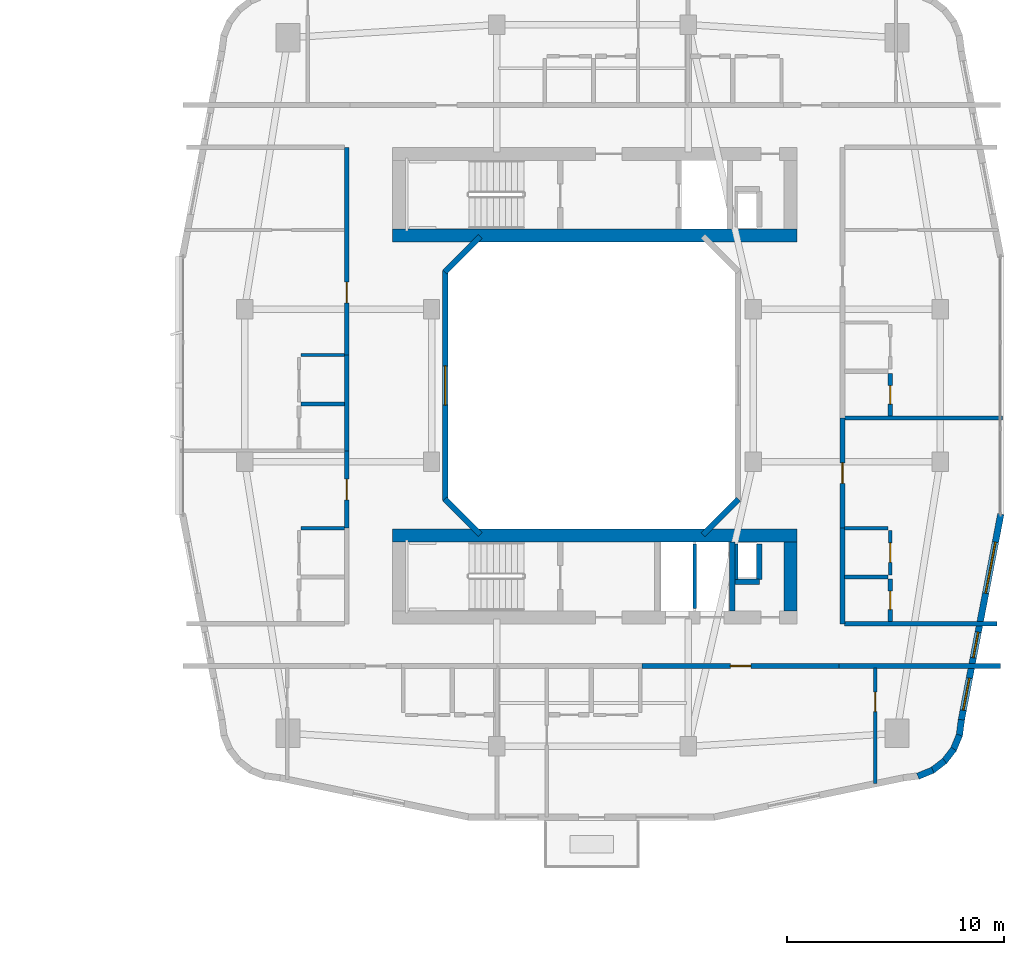
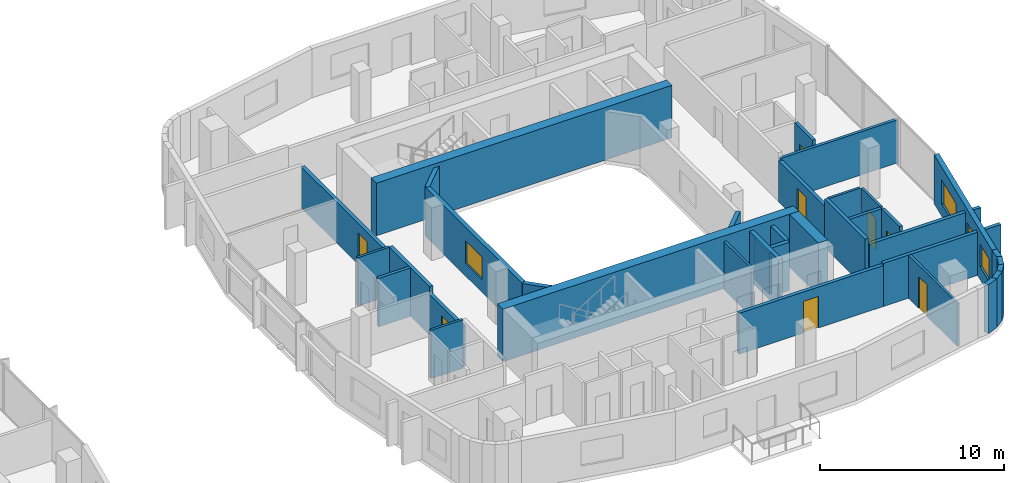
# One storey, part 14 of 22: 36 walls, 8 doors, 4 windows, 12 openings.
"""IFC4 building model written with IfcOpenShell, lengths in metres."""

from ifc_helpers import new_model, si_unit, derived_unit, direction, frame, frame_2d, origin, place, context, subcontext, project, spatial, rectangle, extrude, material, layer, layer_set, type_object, element, fill, save


model = new_model("IFC4")

# Units and contexts
model_context = context("Model", 3, precision=1e-05, world=origin(), true_north=direction((0.0, 1.0)))
body_context = subcontext(model_context, "Body", "Model", "MODEL_VIEW")
ifc_project = project(units=[si_unit("LENGTHUNIT", "METRE"), si_unit("AREAUNIT", "SQUARE_METRE"), si_unit("VOLUMEUNIT", "CUBIC_METRE"), si_unit("PLANEANGLEUNIT", "RADIAN"), si_unit("MASSUNIT", "GRAM", prefix="KILO"), derived_unit("THERMALTRANSMITTANCEUNIT", [(si_unit("POWERUNIT", "WATT"), 1), (si_unit("LENGTHUNIT", "METRE"), -2), (si_unit("THERMODYNAMICTEMPERATUREUNIT", "KELVIN"), -1)])], contexts=[model_context])

# Site, building, storey
site_placement = place(None, origin())
site = spatial("IfcSite", under=ifc_project, at=site_placement, CompositionType="ELEMENT")
building_placement = place(site_placement, origin())
building = spatial("IfcBuilding", under=site, at=building_placement, Name="Kivonza Crest Hotel", CompositionType="ELEMENT")
storey_placement = place(building_placement, frame((0.0, 0.0, 27.5)))
storey = spatial("IfcBuildingStorey", under=building, at=storey_placement, Name="L06", CompositionType="ELEMENT", Elevation=27.5)

# Walls
ifc_material_1 = material(Name="High-density acoustic masonry inter-tenancy wall", Category="masonry")
ifc_layer_1 = layer(ifc_material_1, 0.179931640625)
ifc_layer_set_1 = layer_set([ifc_layer_1], Name="High-density acoustic masonry inter-tenancy wall")
wall_type_1 = type_object("IfcWallType", Name="WL-ACOU-180", PredefinedType="SOLIDWALL", material=ifc_layer_set_1)
wall_1_placement = place(storey_placement, frame((88.5, 23.5, 0.0), z_axis=(0.0, 0.0, 1.0), x_axis=(1.0, 0.0, 0.0)))
element("IfcWall", 1, at=wall_1_placement, inside=storey, type_object=wall_type_1, Name="L06 interior partition WA-L06-T2E-DIV1", PredefinedType="SOLIDWALL", context=body_context, shape_type="SweptSolid", body=[
    extrude(rectangle(XDim=7.360107421875, YDim=0.179931640625, at=frame_2d((3.68017578125, 0.0))), origin(), (0.0, 0.0, 1.0), 2.864990234375),
])
ifc_material_2 = material(Name="Autoclaved aerated concrete blockwork", Category="masonry")
ifc_layer_2 = layer(ifc_material_2, 0.219970703125)
ifc_layer_set_2 = layer_set([ifc_layer_2], Name="Autoclaved aerated concrete blockwork")
wall_type_2 = type_object("IfcWallType", Name="WL-ACOU-220", PredefinedType="SOLIDWALL", material=ifc_layer_set_2)
wall_2_placement = place(storey_placement, frame((88.35009765625, 12.10009765625, 0.0), z_axis=(0.0, 0.0, 1.0), x_axis=(1.0, 0.0, 0.0)))
element("IfcWall", 2, at=wall_2_placement, inside=storey, type_object=wall_type_2, Name="L06 interior partition WA-L06-A04-RCORR", PredefinedType="SOLIDWALL", context=body_context, shape_type="SweptSolid", body=[
    extrude(rectangle(XDim=7.409912109375, YDim=0.219970703125, at=frame_2d((3.705078125, 0.0))), origin(), (0.0, 0.0, 1.0), 2.864990234375),
])

# Wall, opening, door
wall_3_placement = place(storey_placement, frame((79.280029296875, 12.10009765625, 0.0), z_axis=(0.0, 0.0, 1.0), x_axis=(1.0, 0.0, 0.0)))
wall_3 = element("IfcWall", 3, at=wall_3_placement, inside=storey, type_object=wall_type_2, Name="L06 interior partition WA-L06-A04-MCORR", PredefinedType="SOLIDWALL", context=body_context, shape_type="SweptSolid", body=[
    extrude(rectangle(XDim=9.070068359375, YDim=0.219970703125, at=frame_2d((4.53515625, 0.0))), origin(), (0.0, 0.0, 1.0), 2.72509765625),
])
opening_1_placement = place(wall_3_placement, frame((4.06005859375, 0.0, 0.0)))
opening_1 = element("IfcOpeningElement", 4, at=opening_1_placement, cuts=wall_3, Name="Opening DU-60", PredefinedType="OPENING", context=body_context, shape_type="SweptSolid", body=[
    extrude(rectangle(XDim=0.949951171875, YDim=2.10009765625, at=frame_2d((0.47509765625, 1.050048828125))), frame((0.0, 0.1201171875, 0.0), z_axis=(0.0, -1.0, 0.0), x_axis=(1.0, 0.0, 0.0)), (0.0, 0.0, 1.0), 0.239990234375),
])
ifc_material_3 = material(Name="Hardwood timber oak", Category="wood")
door_type_1 = type_object("IfcDoorType", Name="DR-UNIT-950", OperationType="NOTDEFINED", PredefinedType="DOOR", material=ifc_material_3)
door_1_placement = place(opening_1_placement, frame((0.949951171875, 0.0, 0.0), z_axis=(0.0, 0.0, 1.0), x_axis=(-1.0, 0.0, 0.0)))
door_1 = element("IfcDoor", 5, at=door_1_placement, inside=storey, type_object=door_type_1, Name="L06 A04 apartment entrance fire door", OperationType="SINGLE_SWING_RIGHT", OverallHeight=2.10009765625, OverallWidth=0.949951171875, PredefinedType="DOOR", context=body_context, shape_type="SweptSolid", body=[
    extrude(rectangle(XDim=0.949951171875, YDim=2.10009765625, at=frame_2d((0.47509765625, 1.050048828125))), frame((0.0, 0.02490234375, 0.0), z_axis=(0.0, -1.0, 0.0), x_axis=(1.0, 0.0, 0.0)), (0.0, 0.0, 1.0), 0.050048828125),
])
fill(opening_1, door_1)

wall_4_placement = place(storey_placement, frame((65.699951171875, 18.43994140625, 0.0), z_axis=(0.0, 0.0, 1.0), x_axis=(0.0, 1.0, 0.0)))
wall_4 = element("IfcWall", 6, at=wall_4_placement, inside=storey, type_object=wall_type_2, Name="L06 interior partition WA-L06-A05-MCORR", PredefinedType="SOLIDWALL", context=body_context, shape_type="SweptSolid", body=[
    extrude(rectangle(XDim=3.56005859375, YDim=0.219970703125, at=frame_2d((1.780029296875, 0.0))), origin(), (0.0, 0.0, 1.0), 2.72509765625),
])
opening_2_placement = place(wall_4_placement, frame((1.304931640625, 0.0, 0.0)))
opening_2 = element("IfcOpeningElement", 7, at=opening_2_placement, cuts=wall_4, Name="Opening DU-60", PredefinedType="OPENING", context=body_context, shape_type="SweptSolid", body=[
    extrude(rectangle(XDim=0.949951171875, YDim=2.10009765625, at=frame_2d((0.47509765625, 1.050048828125))), frame((0.0, 0.1201171875, 0.0), z_axis=(0.0, -1.0, 0.0), x_axis=(1.0, 0.0, 0.0)), (0.0, 0.0, 1.0), 0.239990234375),
])
door_2_placement = place(opening_2_placement, origin())
door_2 = element("IfcDoor", 8, at=door_2_placement, inside=storey, type_object=door_type_1, Name="L06 A05 apartment entrance fire door", OperationType="SINGLE_SWING_LEFT", OverallHeight=2.10009765625, OverallWidth=0.949951171875, PredefinedType="DOOR", context=body_context, shape_type="SweptSolid", body=[
    extrude(rectangle(XDim=0.949951171875, YDim=2.10009765625, at=frame_2d((0.47509765625, 1.050048828125))), frame((0.0, 0.02490234375, 0.0), z_axis=(0.0, -1.0, 0.0), x_axis=(1.0, 0.0, 0.0)), (0.0, 0.0, 1.0), 0.050048828125),
])
fill(opening_2, door_2)

# Wall
wall_5_placement = place(storey_placement, frame((65.699951171875, 22.0, 0.0), z_axis=(0.0, 0.0, 1.0), x_axis=(0.0, 1.0, 0.0)))
element("IfcWall", 9, at=wall_5_placement, inside=storey, type_object=wall_type_2, Name="L06 interior partition WA-L06-A06-BCORR", PredefinedType="SOLIDWALL", context=body_context, shape_type="SweptSolid", body=[
    extrude(rectangle(XDim=4.39990234375, YDim=0.219970703125, at=frame_2d((2.199951171875, 0.0))), origin(), (0.0, 0.0, 1.0), 3.219970703125),
])

# Wall, opening, door
wall_6_placement = place(storey_placement, frame((65.699951171875, 26.39990234375, 0.0), z_axis=(0.0, 0.0, 1.0), x_axis=(0.0, 1.0, 0.0)))
wall_6 = element("IfcWall", 10, at=wall_6_placement, inside=storey, type_object=wall_type_2, Name="L06 interior partition WA-L06-A06-MCORR", PredefinedType="SOLIDWALL", context=body_context, shape_type="SweptSolid", body=[
    extrude(rectangle(XDim=9.56005859375, YDim=0.219970703125, at=frame_2d((4.780029296875, 0.0))), origin(), (0.0, 0.0, 1.0), 2.72509765625),
])
opening_3_placement = place(wall_6_placement, frame((2.405029296875, 0.0, 0.0)))
opening_3 = element("IfcOpeningElement", 11, at=opening_3_placement, cuts=wall_6, Name="Opening DU-60", PredefinedType="OPENING", context=body_context, shape_type="SweptSolid", body=[
    extrude(rectangle(XDim=0.949951171875, YDim=2.10009765625, at=frame_2d((0.47509765625, 1.050048828125))), frame((0.0, 0.1201171875, 0.0), z_axis=(0.0, -1.0, 0.0), x_axis=(1.0, 0.0, 0.0)), (0.0, 0.0, 1.0), 0.239990234375),
])
door_3_placement = place(opening_3_placement, origin())
door_3 = element("IfcDoor", 12, at=door_3_placement, inside=storey, type_object=door_type_1, Name="L06 A06 apartment entrance fire door", OperationType="SINGLE_SWING_RIGHT", OverallHeight=2.10009765625, OverallWidth=0.949951171875, PredefinedType="DOOR", context=body_context, shape_type="SweptSolid", body=[
    extrude(rectangle(XDim=0.949951171875, YDim=2.10009765625, at=frame_2d((0.47509765625, 1.050048828125))), frame((0.0, 0.02490234375, 0.0), z_axis=(0.0, -1.0, 0.0), x_axis=(1.0, 0.0, 0.0)), (0.0, 0.0, 1.0), 0.050048828125),
])
fill(opening_3, door_3)

# Walls
wall_7_placement = place(storey_placement, frame((88.60009765625, 14.0400390625, 0.0), z_axis=(0.0, 0.0, 1.0), x_axis=(1.0, 0.0, 0.0)))
element("IfcWall", 13, at=wall_7_placement, inside=storey, type_object=wall_type_2, Name="L06 interior partition WA-L06-T2E-ENDS", PredefinedType="SOLIDWALL", context=body_context, shape_type="SweptSolid", body=[
    extrude(rectangle(XDim=7.0, YDim=0.219970703125, at=frame_2d((3.5, 0.0))), origin(), (0.0, 0.0, 1.0), 2.864990234375),
])
wall_8_placement = place(storey_placement, frame((88.5, 14.0400390625, 0.0), z_axis=(0.0, 0.0, 1.0), x_axis=(0.0, 1.0, 0.0)))
element("IfcWall", 14, at=wall_8_placement, inside=storey, type_object=wall_type_2, Name="L06 interior partition WA-L06-A07-BCORR", PredefinedType="SOLIDWALL", context=body_context, shape_type="SweptSolid", body=[
    extrude(rectangle(XDim=4.39990234375, YDim=0.219970703125, at=frame_2d((2.199951171875, 0.0))), origin(), (0.0, 0.0, 1.0), 3.219970703125),
])

# Wall, opening, door
wall_9_placement = place(storey_placement, frame((88.5, 18.43994140625, 0.0), z_axis=(0.0, 0.0, 1.0), x_axis=(0.0, 1.0, 0.0)))
wall_9 = element("IfcWall", 15, at=wall_9_placement, inside=storey, type_object=wall_type_2, Name="L06 interior partition WA-L06-A07-MCORR", PredefinedType="SOLIDWALL", context=body_context, shape_type="SweptSolid", body=[
    extrude(rectangle(XDim=5.06005859375, YDim=0.219970703125, at=frame_2d((2.530029296875, 0.0))), origin(), (0.0, 0.0, 1.0), 2.72509765625),
])
opening_4_placement = place(wall_9_placement, frame((2.054931640625, 0.0, 0.0)))
opening_4 = element("IfcOpeningElement", 16, at=opening_4_placement, cuts=wall_9, Name="Opening DU-60", PredefinedType="OPENING", context=body_context, shape_type="SweptSolid", body=[
    extrude(rectangle(XDim=0.949951171875, YDim=2.10009765625, at=frame_2d((0.47509765625, 1.050048828125))), frame((0.0, 0.1201171875, 0.0), z_axis=(0.0, -1.0, 0.0), x_axis=(1.0, 0.0, 0.0)), (0.0, 0.0, 1.0), 0.239990234375),
])
door_4_placement = place(opening_4_placement, frame((0.949951171875, 0.0, 0.0), z_axis=(0.0, 0.0, 1.0), x_axis=(-1.0, 0.0, 0.0)))
door_4 = element("IfcDoor", 17, at=door_4_placement, inside=storey, type_object=door_type_1, Name="L06 A07 apartment entrance fire door", OperationType="SINGLE_SWING_LEFT", OverallHeight=2.10009765625, OverallWidth=0.949951171875, PredefinedType="DOOR", context=body_context, shape_type="SweptSolid", body=[
    extrude(rectangle(XDim=0.949951171875, YDim=2.10009765625, at=frame_2d((0.47509765625, 1.050048828125))), frame((0.0, 0.02490234375, 0.0), z_axis=(0.0, -1.0, 0.0), x_axis=(1.0, 0.0, 0.0)), (0.0, 0.0, 1.0), 0.050048828125),
])
fill(opening_4, door_4)

# Walls
ifc_material_4 = material(Name="Concrete C60/75", Category="concrete")
ifc_layer_3 = layer(ifc_material_4, 0.60009765625)
ifc_layer_set_3 = layer_set([ifc_layer_3], Name="Concrete C60/75")
wall_type_3 = type_object("IfcWallType", Name="WL-CORE-600", PredefinedType="SHEAR", material=ifc_layer_set_3)
for number, where, z_axis, x_axis, name in (
    (18, (67.800048828125, 31.89990234375, 0.0), (0.0, 0.0, 1.0), (1.0, 0.0, 0.0), "Core wall T2-N South L06"),
    (19, (67.800048828125, 18.10009765625, 0.0), (0.0, 0.0, 1.0), (1.0, 0.0, 0.0), "Core wall T2-S North L06"),
):
    element("IfcWall", number, at=place(storey_placement, frame(where, z_axis=z_axis, x_axis=x_axis)), inside=storey, type_object=wall_type_3, Name=name, PredefinedType="SHEAR", context=body_context, shape_type="SweptSolid", body=[
        extrude(rectangle(XDim=18.599853515625, YDim=0.60009765625, at=frame_2d((9.2998046875, 0.0))), origin(), (0.0, 0.0, 1.0), 3.5),
    ])
wall_10_placement = place(storey_placement, frame((86.10009765625, 14.639892578125, 0.0), z_axis=(0.0, 0.0, 1.0), x_axis=(0.0, 1.0, 0.0)))
element("IfcWall", 20, at=wall_10_placement, inside=storey, type_object=wall_type_3, Name="Core wall T2-S East L06", PredefinedType="SHEAR", context=body_context, shape_type="SweptSolid", body=[
    extrude(rectangle(XDim=3.16015625, YDim=0.60009765625, at=frame_2d((1.580078125, 0.0))), origin(), (0.0, 0.0, 1.0), 3.5),
])
ifc_material_5 = material(Name="Precast concrete C40/50", Category="concrete")
ifc_layer_4 = layer(ifc_material_5, 0.260009765625)
ifc_layer_set_4 = layer_set([ifc_layer_4], Name="Precast concrete C40/50")
wall_type_4 = type_object("IfcWallType", Name="WL-EXT-260", PredefinedType="STANDARD", material=ifc_layer_set_4)
for number, where, z_axis, x_axis, name in (
    (21, (82.08203125, 18.137939453125, 0.0), (0.0, 0.0, 1.0), (0.707106781187, 0.707106781187, 0.0), "L06 T2 light-well exterior wall 2"),
    (22, (71.837890625, 31.862060546875, 0.0), (0.0, 0.0, 1.0), (-0.707053950914, -0.707159607512, 0.0), "L06 T2 light-well exterior wall 6"),
):
    element("IfcWall", number, at=place(storey_placement, frame(where, z_axis=z_axis, x_axis=x_axis)), inside=storey, type_object=wall_type_4, Name=name, PredefinedType="STANDARD", context=body_context, shape_type="SweptSolid", body=[
        extrude(rectangle(XDim=2.310791015625, YDim=0.260009765625, at=frame_2d((1.1552734375, 0.0))), origin(), (0.0, 0.0, 1.0), 3.25),
    ])

# Wall, opening, window
wall_11_placement = place(storey_placement, frame((70.22998046875, 30.2900390625, 0.0), z_axis=(0.0, 0.0, 1.0), x_axis=(0.0, -1.0, 0.0)))
wall_11 = element("IfcWall", 23, at=wall_11_placement, inside=storey, type_object=wall_type_4, Name="L06 T2 light-well exterior wall 7", PredefinedType="STANDARD", context=body_context, shape_type="SweptSolid", body=[
    extrude(rectangle(XDim=10.580078125, YDim=0.260009765625, at=frame_2d((5.2900390625, 0.0))), origin(), (0.0, 0.0, 1.0), 3.25),
])
opening_5_placement = place(wall_11_placement, frame((4.389892578125, 0.0, 0.85009765625)))
opening_5 = element("IfcOpeningElement", 24, at=opening_5_placement, cuts=wall_11, Name="Opening WN-03", PredefinedType="OPENING", context=body_context, shape_type="SweptSolid", body=[
    extrude(rectangle(XDim=1.800048828125, YDim=1.5, at=frame_2d((0.89990234375, 0.75))), frame((0.0, 0.14013671875, 0.0), z_axis=(0.0, -1.0, 0.0), x_axis=(1.0, 0.0, 0.0)), (0.0, 0.0, 1.0), 0.280029296875),
])
ifc_material_6 = material(Name="Thermally broken bronze aluminium and low-E double glazing", Category="aluminium")
window_type_1 = type_object("IfcWindowType", Name="WN-180x150", PartitioningType="DOUBLE_PANEL_VERTICAL", PredefinedType="WINDOW", material=ifc_material_6)
window_1_placement = place(opening_5_placement, origin())
window_1 = element("IfcWindow", 25, at=window_1_placement, inside=storey, type_object=window_type_1, Name="L06 T2 light-well window 7", OverallHeight=1.5, OverallWidth=1.800048828125, PartitioningType="SINGLE_PANEL", PredefinedType="WINDOW", context=body_context, shape_type="SweptSolid", body=[
    extrude(rectangle(XDim=1.800048828125, YDim=1.5, at=frame_2d((0.89990234375, 0.75))), frame((0.0, 0.030029296875, 0.0), z_axis=(0.0, -1.0, 0.0), x_axis=(1.0, 0.0, 0.0)), (0.0, 0.0, 1.0), 0.06005859375),
])
fill(opening_5, window_1)

# Walls
wall_12_placement = place(storey_placement, frame((70.2041015625, 19.77197265625, 0.0), z_axis=(0.0, 0.0, 1.0), x_axis=(0.707053950914, -0.707159607512, 0.0)))
element("IfcWall", 26, at=wall_12_placement, inside=storey, type_object=wall_type_4, Name="L06 T2 light-well exterior wall 8", PredefinedType="STANDARD", context=body_context, shape_type="SweptSolid", body=[
    extrude(rectangle(XDim=2.310791015625, YDim=0.260009765625, at=frame_2d((1.1552734375, 0.0))), origin(), (0.0, 0.0, 1.0), 3.25),
])
ifc_layer_5 = layer(ifc_material_5, 0.300048828125)
ifc_layer_set_5 = layer_set([ifc_layer_5], Name="Precast concrete C40/50")
wall_type_5 = type_object("IfcWallType", Name="WL-EXT-300", PredefinedType="STANDARD", material=ifc_layer_set_5)
for number, where, z_axis, x_axis, name in (
    (27, (91.965087890625, 7.02392578125, 0.0), (0.0, 0.0, 1.0), (0.923521684703, 0.383546213491, 0.0), "L06 T2 exterior insulated wall 11"),
    (28, (92.60888671875, 7.279052734375, 0.0), (0.0, 0.0, 1.0), (0.79363269798, 0.608397189915, 0.0), "L06 T2 exterior insulated wall 12"),
    (29, (93.166015625, 7.69091796875, 0.0), (0.0, 0.0, 1.0), (0.608603261071, 0.793474681772, 0.0), "L06 T2 exterior insulated wall 13"),
):
    element("IfcWall", number, at=place(storey_placement, frame(where, z_axis=z_axis, x_axis=x_axis)), inside=storey, type_object=wall_type_5, Name=name, PredefinedType="STANDARD", context=body_context, shape_type="SweptSolid", body=[
        extrude(rectangle(XDim=0.74609375, YDim=0.300048828125, at=frame_2d((0.373046875, 0.0))), origin(), (0.0, 0.0, 1.0), 3.25),
    ])
wall_13_placement = place(storey_placement, frame((93.595947265625, 8.23388671875, 0.0), z_axis=(0.0, 0.0, 1.0), x_axis=(0.383430326427, 0.923569805037, 0.0)))
element("IfcWall", 30, at=wall_13_placement, inside=storey, type_object=wall_type_5, Name="L06 T2 exterior insulated wall 14", PredefinedType="STANDARD", context=body_context, shape_type="SweptSolid", body=[
    extrude(rectangle(XDim=0.746337890625, YDim=0.300048828125, at=frame_2d((0.373046875, 0.0))), origin(), (0.0, 0.0, 1.0), 3.25),
])
wall_14_placement = place(storey_placement, frame((93.873046875, 8.868896484375, 0.0), z_axis=(0.0, 0.0, 1.0), x_axis=(0.129339184068, 0.991600411186, 0.0)))
element("IfcWall", 31, at=wall_14_placement, inside=storey, type_object=wall_type_5, Name="L06 T2 exterior insulated wall 15", PredefinedType="STANDARD", context=body_context, shape_type="SweptSolid", body=[
    extrude(rectangle(XDim=0.764404296875, YDim=0.300048828125, at=frame_2d((0.38232421875, 0.0))), origin(), (0.0, 0.0, 1.0), 3.25),
])

# Wall, openings, windows
wall_15_placement = place(storey_placement, frame((93.970947265625, 9.6201171875, 0.0), z_axis=(0.0, 0.0, 1.0), x_axis=(0.188087874316, 0.982152203854, 0.0)))
wall_15 = element("IfcWall", 32, at=wall_15_placement, inside=storey, type_object=wall_type_5, Name="L06 T2 exterior insulated wall 16", PredefinedType="STANDARD", context=body_context, shape_type="SweptSolid", body=[
    extrude(rectangle(XDim=9.6337890625, YDim=0.300048828125, at=frame_2d((4.81689453125, 0.0))), origin(), (0.0, 0.0, 1.0), 3.25),
])
opening_6_placement = place(wall_15_placement, frame((0.451904296875, 0.0, 0.85009765625)))
opening_6 = element("IfcOpeningElement", 33, at=opening_6_placement, cuts=wall_15, Name="Opening WN-02", PredefinedType="OPENING", context=body_context, shape_type="SweptSolid", body=[
    extrude(rectangle(XDim=1.5, YDim=1.5, at=frame_2d((0.75, 0.75))), frame((0.0, 0.16015625, 0.0), z_axis=(0.0, -1.0, 0.0), x_axis=(1.0, 0.0, 0.0)), (0.0, 0.0, 1.0), 0.320068359375),
])
opening_7_placement = place(wall_15_placement, frame((2.9130859375, 0.0, 0.85009765625)))
opening_7 = element("IfcOpeningElement", 34, at=opening_7_placement, cuts=wall_15, Name="Opening WN-01", PredefinedType="OPENING", context=body_context, shape_type="SweptSolid", body=[
    extrude(rectangle(XDim=1.199951171875, YDim=1.5, at=frame_2d((0.60009765625, 0.75))), frame((0.0, 0.16015625, 0.0), z_axis=(0.0, -1.0, 0.0), x_axis=(1.0, 0.0, 0.0)), (0.0, 0.0, 1.0), 0.320068359375),
])
opening_8_placement = place(wall_15_placement, frame((5.927978515625, 0.0, 0.800048828125)))
opening_8 = element("IfcOpeningElement", 35, at=opening_8_placement, cuts=wall_15, Name="Opening WN-05", PredefinedType="OPENING", context=body_context, shape_type="SweptSolid", body=[
    extrude(rectangle(XDim=2.39990234375, YDim=1.60009765625, at=frame_2d((1.199951171875, 0.800048828125))), frame((0.0, 0.16015625, 0.0), z_axis=(0.0, -1.0, 0.0), x_axis=(1.0, 0.0, 0.0)), (0.0, 0.0, 1.0), 0.320068359375),
])
window_type_2 = type_object("IfcWindowType", Name="WN-120x150", PartitioningType="SINGLE_PANEL", PredefinedType="WINDOW", material=ifc_material_6)
window_2_placement = place(opening_7_placement, origin())
window_2 = element("IfcWindow", 36, at=window_2_placement, inside=storey, type_object=window_type_2, Name="L06 T2 facade window 16 bay 2", OverallHeight=1.5, OverallWidth=1.199951171875, PartitioningType="SINGLE_PANEL", PredefinedType="WINDOW", context=body_context, shape_type="SweptSolid", body=[
    extrude(rectangle(XDim=1.199951171875, YDim=1.5, at=frame_2d((0.60009765625, 0.75))), frame((0.0, 0.030029296875, 0.0), z_axis=(0.0, -1.0, 0.0), x_axis=(1.0, 0.0, 0.0)), (0.0, 0.0, 1.0), 0.06005859375),
])
fill(opening_7, window_2)
window_type_3 = type_object("IfcWindowType", Name="WN-150x150", PartitioningType="DOUBLE_PANEL_VERTICAL", PredefinedType="WINDOW", material=ifc_material_6)
window_3_placement = place(opening_6_placement, origin())
window_3 = element("IfcWindow", 37, at=window_3_placement, inside=storey, type_object=window_type_3, Name="L06 T2 facade window 16 bay 1", OverallHeight=1.5, OverallWidth=1.5, PartitioningType="SINGLE_PANEL", PredefinedType="WINDOW", context=body_context, shape_type="SweptSolid", body=[
    extrude(rectangle(XDim=1.5, YDim=1.5, at=frame_2d((0.75, 0.75))), frame((0.0, 0.030029296875, 0.0), z_axis=(0.0, -1.0, 0.0), x_axis=(1.0, 0.0, 0.0)), (0.0, 0.0, 1.0), 0.06005859375),
])
fill(opening_6, window_3)
window_type_4 = type_object("IfcWindowType", Name="WN-240x160", PartitioningType="TRIPLE_PANEL_VERTICAL", PredefinedType="WINDOW", material=ifc_material_6)
window_4_placement = place(opening_8_placement, origin())
window_4 = element("IfcWindow", 38, at=window_4_placement, inside=storey, type_object=window_type_4, Name="L06 T2 facade window 16 bay 3", OverallHeight=1.60009765625, OverallWidth=2.39990234375, PartitioningType="SINGLE_PANEL", PredefinedType="WINDOW", context=body_context, shape_type="SweptSolid", body=[
    extrude(rectangle(XDim=2.39990234375, YDim=1.60009765625, at=frame_2d((1.199951171875, 0.800048828125))), frame((0.0, 0.030029296875, 0.0), z_axis=(0.0, -1.0, 0.0), x_axis=(1.0, 0.0, 0.0)), (0.0, 0.0, 1.0), 0.06005859375),
])
fill(opening_8, window_4)

# Walls
ifc_material_7 = material(Name="Concrete blockwork fire-compartment wall", Category="masonry")
ifc_layer_6 = layer(ifc_material_7, 0.25)
ifc_layer_set_6 = layer_set([ifc_layer_6], Name="Concrete blockwork fire-compartment wall")
wall_type_6 = type_object("IfcWallType", Name="WL-FIRE-250", PredefinedType="SOLIDWALL", material=ifc_layer_set_6)
wall_16_placement = place(storey_placement, frame((84.679931640625, 16.080078125, 0.0), z_axis=(0.0, 0.0, 1.0), x_axis=(0.0, 1.0, 0.0)))
element("IfcWall", 39, at=wall_16_placement, inside=storey, type_object=wall_type_6, Name="L06 interior partition WA-L06-T2-S-MEPR-E", PredefinedType="SOLIDWALL", context=body_context, shape_type="SweptSolid", body=[
    extrude(rectangle(XDim=1.619873046875, YDim=0.25, at=frame_2d((0.81005859375, 0.0))), origin(), (0.0, 0.0, 1.0), 3.219970703125),
])
wall_17_placement = place(storey_placement, frame((83.550048828125, 15.97998046875, 0.0), z_axis=(0.0, 0.0, 1.0), x_axis=(1.0, 0.0, 0.0)))
element("IfcWall", 40, at=wall_17_placement, inside=storey, type_object=wall_type_6, Name="L06 interior partition WA-L06-T2-S-MEPR-H", PredefinedType="SOLIDWALL", context=body_context, shape_type="SweptSolid", body=[
    extrude(rectangle(XDim=1.1298828125, YDim=0.25, at=frame_2d((0.56494140625, 0.0))), origin(), (0.0, 0.0, 1.0), 3.219970703125),
])
ifc_material_8 = material(Name="Twin-stud acoustic gypsum board partition", Category="gypsum")
ifc_layer_7 = layer(ifc_material_8, 0.14990234375)
ifc_layer_set_7 = layer_set([ifc_layer_7], Name="Twin-stud acoustic gypsum board partition")
wall_type_7 = type_object("IfcWallType", Name="WL-PART-150", PredefinedType="PARTITIONING", material=ifc_layer_set_7)
wall_18_placement = place(storey_placement, frame((83.6298828125, 16.080078125, 0.0), z_axis=(0.0, 0.0, 1.0), x_axis=(0.0, 1.0, 0.0)))
element("IfcWall", 41, at=wall_18_placement, inside=storey, type_object=wall_type_7, Name="L06 interior partition WA-L06-T2-S-MEPR-W", PredefinedType="PARTITIONING", context=body_context, shape_type="SweptSolid", body=[
    extrude(rectangle(XDim=1.619873046875, YDim=0.14990234375, at=frame_2d((0.81005859375, 0.0))), origin(), (0.0, 0.0, 1.0), 2.72509765625),
])
wall_19_placement = place(storey_placement, frame((81.699951171875, 14.739990234375, 0.0), z_axis=(0.0, 0.0, 1.0), x_axis=(0.0, 1.0, 0.0)))
element("IfcWall", 42, at=wall_19_placement, inside=storey, type_object=wall_type_7, Name="L06 interior partition WP-L06-T2-S-BSH-1", PredefinedType="PARTITIONING", context=body_context, shape_type="SweptSolid", body=[
    extrude(rectangle(XDim=2.9599609375, YDim=0.14990234375, at=frame_2d((1.47998046875, 0.0))), origin(), (0.0, 0.0, 1.0), 3.219970703125),
])

# Wall, opening, door
wall_20_placement = place(storey_placement, frame((90.010009765625, 6.68896484375, 0.0), z_axis=(0.0, 0.0, 1.0), x_axis=(0.0, 1.0, 0.0)))
wall_20 = element("IfcWall", 43, at=wall_20_placement, inside=storey, type_object=wall_type_7, Name="L06 interior partition WP-L06-A04-BDW2", PredefinedType="PARTITIONING", context=body_context, shape_type="SweptSolid", body=[
    extrude(rectangle(XDim=5.31103515625, YDim=0.14990234375, at=frame_2d((2.655517578125, 0.0))), origin(), (0.0, 0.0, 1.0), 2.864990234375),
])
opening_9_placement = place(wall_20_placement, frame((3.31005859375, 0.0, 0.0)))
opening_9 = element("IfcOpeningElement", 44, at=opening_9_placement, cuts=wall_20, Name="Opening DI-90", PredefinedType="OPENING", context=body_context, shape_type="SweptSolid", body=[
    extrude(rectangle(XDim=0.89990234375, YDim=2.10009765625, at=frame_2d((0.449951171875, 1.050048828125))), frame((0.0, 0.0849609375, 0.0), z_axis=(0.0, -1.0, 0.0), x_axis=(1.0, 0.0, 0.0)), (0.0, 0.0, 1.0), 0.169921875),
])
door_type_2 = type_object("IfcDoorType", Name="DR-INT-900", OperationType="NOTDEFINED", PredefinedType="DOOR", material=ifc_material_3)
door_5_placement = place(opening_9_placement, origin())
door_5 = element("IfcDoor", 45, at=door_5_placement, inside=storey, type_object=door_type_2, Name="L06 A04 bedroom 2 door", OperationType="SINGLE_SWING_RIGHT", OverallHeight=2.10009765625, OverallWidth=0.89990234375, PredefinedType="DOOR", context=body_context, shape_type="SweptSolid", body=[
    extrude(rectangle(XDim=0.89990234375, YDim=2.10009765625, at=frame_2d((0.449951171875, 1.050048828125))), frame((0.0, 0.02490234375, 0.0), z_axis=(0.0, -1.0, 0.0), x_axis=(1.0, 0.0, 0.0)), (0.0, 0.0, 1.0), 0.050048828125),
])
fill(opening_9, door_5)

# Walls
for number, where, z_axis, x_axis, name in (
    (46, (63.60009765625, 18.43994140625, 0.0), (0.0, 0.0, 1.0), (1.0, 0.0, 0.0), "L06 interior partition WP-L06-A05-KF"),
    (47, (63.60009765625, 26.39990234375, 0.0), (0.0, 0.0, 1.0), (1.0, 0.0, 0.0), "L06 interior partition WP-L06-A06-KF"),
    (48, (88.60009765625, 18.43994140625, 0.0), (0.0, 0.0, 1.0), (1.0, 0.0, 0.0), "L06 interior partition WP-L06-A07-KF"),
):
    element("IfcWall", number, at=place(storey_placement, frame(where, z_axis=z_axis, x_axis=x_axis)), inside=storey, type_object=wall_type_7, Name=name, PredefinedType="PARTITIONING", context=body_context, shape_type="SweptSolid", body=[
        extrude(rectangle(XDim=2.0, YDim=0.14990234375, at=frame_2d((1.0, 0.0))), origin(), (0.0, 0.0, 1.0), 3.219970703125),
    ])

# Wall, opening, door
wall_21_placement = place(storey_placement, frame((90.699951171875, 16.2900390625, 0.0), z_axis=(0.0, 0.0, 1.0), x_axis=(0.0, 1.0, 0.0)))
wall_21 = element("IfcWall", 49, at=wall_21_placement, inside=storey, type_object=wall_type_7, Name="L06 interior partition WP-L06-A07-KSVC", PredefinedType="PARTITIONING", context=body_context, shape_type="SweptSolid", body=[
    extrude(rectangle(XDim=2.050048828125, YDim=0.14990234375, at=frame_2d((1.02490234375, 0.0))), origin(), (0.0, 0.0, 1.0), 3.219970703125),
])
opening_10_placement = place(wall_21_placement, frame((0.574951171875, 0.0, 0.0)))
opening_10 = element("IfcOpeningElement", 50, at=opening_10_placement, cuts=wall_21, Name="Opening DI-90", PredefinedType="OPENING", context=body_context, shape_type="SweptSolid", body=[
    extrude(rectangle(XDim=0.89990234375, YDim=2.10009765625, at=frame_2d((0.449951171875, 1.050048828125))), frame((0.0, 0.0849609375, 0.0), z_axis=(0.0, -1.0, 0.0), x_axis=(1.0, 0.0, 0.0)), (0.0, 0.0, 1.0), 0.169921875),
])
door_6_placement = place(opening_10_placement, frame((0.89990234375, 0.0, 0.0), z_axis=(0.0, 0.0, 1.0), x_axis=(-1.0, 0.0, 0.0)))
door_6 = element("IfcDoor", 51, at=door_6_placement, inside=storey, type_object=door_type_2, Name="L06 A07 apartment kitchen door", OperationType="SINGLE_SWING_LEFT", OverallHeight=2.10009765625, OverallWidth=0.89990234375, PredefinedType="DOOR", context=body_context, shape_type="SweptSolid", body=[
    extrude(rectangle(XDim=0.89990234375, YDim=2.10009765625, at=frame_2d((0.449951171875, 1.050048828125))), frame((0.0, 0.02490234375, 0.0), z_axis=(0.0, -1.0, 0.0), x_axis=(1.0, 0.0, 0.0)), (0.0, 0.0, 1.0), 0.050048828125),
])
fill(opening_10, door_6)

# Walls
ifc_material_9 = material(Name="Moisture-resistant plumbing chase partition wall", Category="gypsum")
ifc_layer_8 = layer(ifc_material_9, 0.199951171875)
ifc_layer_set_8 = layer_set([ifc_layer_8], Name="Moisture-resistant plumbing chase partition wall")
wall_type_8 = type_object("IfcWallType", Name="WL-PLUMB-200", PredefinedType="PLUMBINGWALL", material=ifc_layer_set_8)
for number, where, z_axis, x_axis, name in (
    (52, (63.60009765625, 24.14990234375, 0.0), (0.0, 0.0, 1.0), (1.0, 0.0, 0.0), "L06 interior partition WW-L06-A06-BK"),
    (53, (88.60009765625, 16.18994140625, 0.0), (0.0, 0.0, 1.0), (1.0, 0.0, 0.0), "L06 interior partition WW-L06-A07-BK"),
):
    element("IfcWall", number, at=place(storey_placement, frame(where, z_axis=z_axis, x_axis=x_axis)), inside=storey, type_object=wall_type_8, Name=name, PredefinedType="PLUMBINGWALL", context=body_context, shape_type="SweptSolid", body=[
        extrude(rectangle(XDim=2.0, YDim=0.199951171875, at=frame_2d((1.0, 0.0))), origin(), (0.0, 0.0, 1.0), 3.219970703125),
    ])

# Wall, opening, door
wall_22_placement = place(storey_placement, frame((90.699951171875, 14.139892578125, 0.0), z_axis=(0.0, 0.0, 1.0), x_axis=(0.0, 1.0, 0.0)))
wall_22 = element("IfcWall", 54, at=wall_22_placement, inside=storey, type_object=wall_type_8, Name="L06 interior partition WW-L06-A07-BSVC", PredefinedType="PLUMBINGWALL", context=body_context, shape_type="SweptSolid", body=[
    extrude(rectangle(XDim=1.9501953125, YDim=0.199951171875, at=frame_2d((0.97509765625, 0.0))), origin(), (0.0, 0.0, 1.0), 3.219970703125),
])
opening_11_placement = place(wall_22_placement, frame((0.550048828125, 0.0, 0.0)))
opening_11 = element("IfcOpeningElement", 55, at=opening_11_placement, cuts=wall_22, Name="Opening DI-85", PredefinedType="OPENING", context=body_context, shape_type="SweptSolid", body=[
    extrude(rectangle(XDim=0.85009765625, YDim=2.10009765625, at=frame_2d((0.425048828125, 1.050048828125))), frame((0.0, 0.10986328125, 0.0), z_axis=(0.0, -1.0, 0.0), x_axis=(1.0, 0.0, 0.0)), (0.0, 0.0, 1.0), 0.219970703125),
])
door_type_3 = type_object("IfcDoorType", Name="DR-INT-850", OperationType="NOTDEFINED", PredefinedType="DOOR", material=ifc_material_3)
door_7_placement = place(opening_11_placement, frame((0.85009765625, 0.0, 0.0), z_axis=(0.0, 0.0, 1.0), x_axis=(-1.0, 0.0, 0.0)))
door_7 = element("IfcDoor", 56, at=door_7_placement, inside=storey, type_object=door_type_3, Name="L06 A07 apartment bathroom door", OperationType="SINGLE_SWING_RIGHT", OverallHeight=2.10009765625, OverallWidth=0.85009765625, PredefinedType="DOOR", context=body_context, shape_type="SweptSolid", body=[
    extrude(rectangle(XDim=0.85009765625, YDim=2.10009765625, at=frame_2d((0.425048828125, 1.050048828125))), frame((0.0, 0.02490234375, 0.0), z_axis=(0.0, -1.0, 0.0), x_axis=(1.0, 0.0, 0.0)), (0.0, 0.0, 1.0), 0.050048828125),
])
fill(opening_11, door_7)

wall_23_placement = place(storey_placement, frame((90.699951171875, 23.60009765625, 0.0), z_axis=(0.0, 0.0, 1.0), x_axis=(0.0, 1.0, 0.0)))
wall_23 = element("IfcWall", 57, at=wall_23_placement, inside=storey, type_object=wall_type_8, Name="L06 interior partition WW-L06-A08-BSVC", PredefinedType="PLUMBINGWALL", context=body_context, shape_type="SweptSolid", body=[
    extrude(rectangle(XDim=1.949951171875, YDim=0.199951171875, at=frame_2d((0.97509765625, 0.0))), origin(), (0.0, 0.0, 1.0), 3.219970703125),
])
opening_12_placement = place(wall_23_placement, frame((0.550048828125, 0.0, 0.0)))
opening_12 = element("IfcOpeningElement", 58, at=opening_12_placement, cuts=wall_23, Name="Opening DI-85", PredefinedType="OPENING", context=body_context, shape_type="SweptSolid", body=[
    extrude(rectangle(XDim=0.85009765625, YDim=2.10009765625, at=frame_2d((0.425048828125, 1.050048828125))), frame((0.0, 0.10986328125, 0.0), z_axis=(0.0, -1.0, 0.0), x_axis=(1.0, 0.0, 0.0)), (0.0, 0.0, 1.0), 0.219970703125),
])
door_8_placement = place(opening_12_placement, frame((0.85009765625, 0.0, 0.0), z_axis=(0.0, 0.0, 1.0), x_axis=(-1.0, 0.0, 0.0)))
door_8 = element("IfcDoor", 59, at=door_8_placement, inside=storey, type_object=door_type_3, Name="L06 A08 apartment bathroom door", OperationType="SINGLE_SWING_LEFT", OverallHeight=2.10009765625, OverallWidth=0.85009765625, PredefinedType="DOOR", context=body_context, shape_type="SweptSolid", body=[
    extrude(rectangle(XDim=0.85009765625, YDim=2.10009765625, at=frame_2d((0.425048828125, 1.050048828125))), frame((0.0, 0.02490234375, 0.0), z_axis=(0.0, -1.0, 0.0), x_axis=(1.0, 0.0, 0.0)), (0.0, 0.0, 1.0), 0.050048828125),
])
fill(opening_12, door_8)

# Wall
ifc_material_10 = material(Name="Concrete C50/60", Category="concrete")
ifc_layer_9 = layer(ifc_material_10, 0.25)
ifc_layer_set_9 = layer_set([ifc_layer_9], Name="Concrete C50/60")
wall_type_9 = type_object("IfcWallType", Name="WL-SHAFT-250", PredefinedType="STANDARD", material=ifc_layer_set_9)
wall_24_placement = place(storey_placement, frame((83.425048828125, 14.639892578125, 0.0), z_axis=(0.0, 0.0, 1.0), x_axis=(0.0, 1.0, 0.0)))
element("IfcWall", 60, at=wall_24_placement, inside=storey, type_object=wall_type_9, Name="Core shaft wall T2-S BANK-E L06", PredefinedType="STANDARD", context=body_context, shape_type="SweptSolid", body=[
    extrude(rectangle(XDim=3.16015625, YDim=0.25, at=frame_2d((1.580078125, 0.0))), origin(), (0.0, 0.0, 1.0), 3.25),
])

save(model, "model.ifc")
